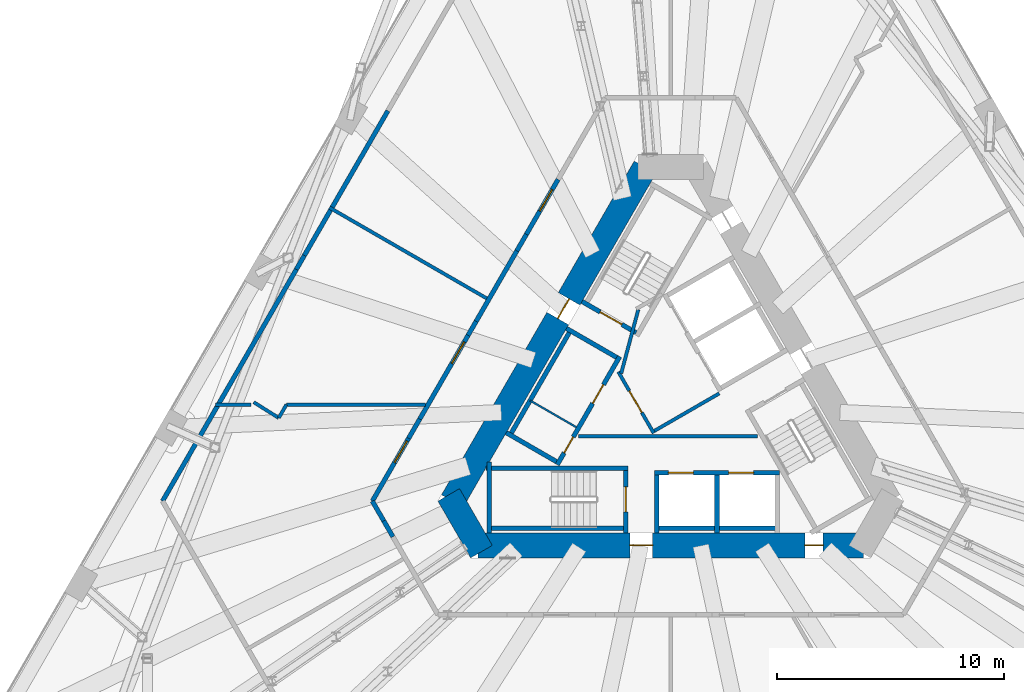
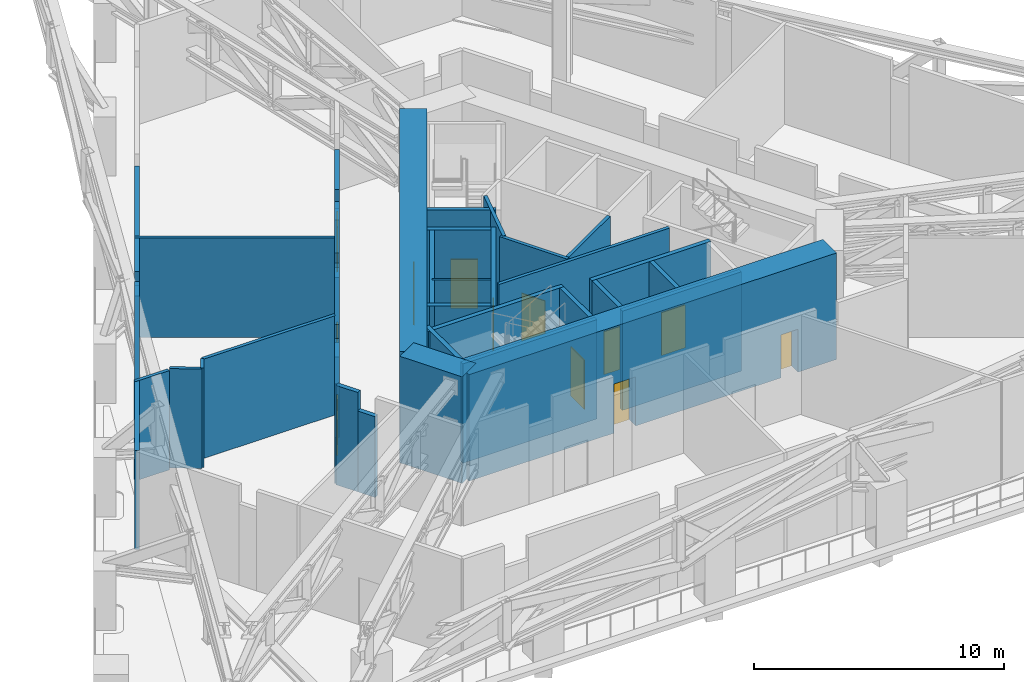
# One storey, part 11 of 20: 38 walls, 13 doors, 13 openings.
"""IFC4 building model written with IfcOpenShell, lengths in metres."""

from ifc_helpers import new_model, si_unit, direction, frame, frame_2d, origin, place, context, subcontext, project, spatial, rectangle, extrude, material, layer, layer_set, type_object, element, fill, save


model = new_model("IFC4")

# Units and contexts
model_context = context("Model", 3, precision=1e-05, world=origin(), true_north=direction((0.0, 1.0)))
body_context = subcontext(model_context, "Body", "Model", "MODEL_VIEW")
ifc_project = project(units=[si_unit("LENGTHUNIT", "METRE"), si_unit("AREAUNIT", "SQUARE_METRE"), si_unit("VOLUMEUNIT", "CUBIC_METRE"), si_unit("PLANEANGLEUNIT", "RADIAN"), si_unit("MASSUNIT", "GRAM", prefix="KILO")], contexts=[model_context])

# Site, building, storey
site_placement = place(None, origin())
site = spatial("IfcSite", under=ifc_project, at=site_placement, CompositionType="ELEMENT")
building_placement = place(site_placement, origin())
building = spatial("IfcBuilding", under=site, at=building_placement, Name="Tramontana Tower", CompositionType="ELEMENT")
storey_placement = place(building_placement, frame((0.0, 0.0, 46.0)))
storey = spatial("IfcBuildingStorey", under=building, at=storey_placement, Name="L09", CompositionType="ELEMENT", Elevation=46.0)

# Wall, opening, door
ifc_material_1 = material(Name="Concrete 70 MPa", Category="concrete")
ifc_layer_1 = layer(ifc_material_1, 1.10009765625)
ifc_layer_set_1 = layer_set([ifc_layer_1], Name="Core wall 1100 70 MPa")
wall_type_1 = type_object("IfcWallType", Name="Core wall 1100 70 MPa", PredefinedType="SHEAR", material=ifc_layer_set_1)
wall_1_placement = place(storey_placement, frame((-1.125732421875, 10.449951171875, 0.0), z_axis=(0.0, 0.0, 1.0), x_axis=(-0.500001757713, -0.866024388966, 0.0)))
wall_1 = element("IfcWall", 1, at=wall_1_placement, inside=storey, type_object=wall_type_1, Name="Core wall C1 L09", PredefinedType="SHEAR", context=body_context, shape_type="SweptSolid", body=[
    extrude(rectangle(XDim=16.97412109375, YDim=1.10009765625, at=frame_2d((8.487060546875, 0.0))), origin(), (0.0, 0.0, 1.0), 5.199951171875),
])
opening_1_placement = place(wall_1_placement, frame((6.692138671875, 0.0, 0.0)))
opening_1 = element("IfcOpeningElement", 2, at=opening_1_placement, cuts=wall_1, Name="Opening RG1", PredefinedType="OPENING", context=body_context, shape_type="SweptSolid", body=[
    extrude(rectangle(XDim=1.0, YDim=2.39990234375, at=frame_2d((0.5, 1.199951171875))), frame((0.0, 0.56005859375, 0.0), z_axis=(0.0, -1.0, 0.0), x_axis=(1.0, 0.0, 0.0)), (0.0, 0.0, 1.0), 1.1201171875),
])
ifc_material_2 = material(Name="Painted steel", Category="steel")
door_type_1 = type_object("IfcDoorType", Name="RING DOOR 1000", OperationType="SINGLE_SWING_LEFT", PredefinedType="DOOR", material=ifc_material_2)
door_1_placement = place(opening_1_placement, origin())
door_1 = element("IfcDoor", 3, at=door_1_placement, inside=storey, type_object=door_type_1, Name="Door RG1", OperationType="SINGLE_SWING_RIGHT", OverallHeight=2.39990234375, OverallWidth=1.0, PredefinedType="DOOR", context=body_context, shape_type="SweptSolid", body=[
    extrude(rectangle(XDim=1.0, YDim=2.39990234375, at=frame_2d((0.5, 1.199951171875))), frame((0.0, 0.02490234375, 0.0), z_axis=(0.0, -1.0, 0.0), x_axis=(1.0, 0.0, 0.0)), (0.0, 0.0, 1.0), 0.050048828125),
])
fill(opening_1, door_1)

# Wall
wall_2_placement = place(storey_placement, frame((-9.771728515625, -3.97509765625, 0.0), z_axis=(0.0, 0.0, 1.0), x_axis=(0.499995765644, -0.866027848477, 0.0)))
element("IfcWall", 4, at=wall_2_placement, inside=storey, type_object=wall_type_1, Name="Core wall C2 L09", PredefinedType="SHEAR", context=body_context, shape_type="SweptSolid", body=[
    extrude(rectangle(XDim=2.88671875, YDim=1.10009765625, at=frame_2d((1.443359375, 0.0))), origin(), (0.0, 0.0, 1.0), 5.199951171875),
])

# Wall, openings, doors
wall_3_placement = place(storey_placement, frame((-8.487060546875, -6.199951171875, 0.0), z_axis=(0.0, 0.0, 1.0), x_axis=(1.0, 0.0, 0.0)))
wall_3 = element("IfcWall", 5, at=wall_3_placement, inside=storey, type_object=wall_type_1, Name="Core wall C3 L09", PredefinedType="SHEAR", context=body_context, shape_type="SweptSolid", body=[
    extrude(rectangle(XDim=16.97412109375, YDim=1.10009765625, at=frame_2d((8.487060546875, 0.0))), origin(), (0.0, 0.0, 1.0), 5.199951171875),
])
opening_2_placement = place(wall_3_placement, frame((6.69189453125, 0.0, 0.0)))
opening_2 = element("IfcOpeningElement", 6, at=opening_2_placement, cuts=wall_3, Name="Opening RG2", PredefinedType="OPENING", context=body_context, shape_type="SweptSolid", body=[
    extrude(rectangle(XDim=1.0, YDim=2.39990234375, at=frame_2d((0.5, 1.199951171875))), frame((0.0, 0.56005859375, 0.0), z_axis=(0.0, -1.0, 0.0), x_axis=(1.0, 0.0, 0.0)), (0.0, 0.0, 1.0), 1.1201171875),
])
opening_3_placement = place(wall_3_placement, frame((14.39697265625, 0.0, 0.0)))
opening_3 = element("IfcOpeningElement", 7, at=opening_3_placement, cuts=wall_3, Name="Opening PD2", PredefinedType="OPENING", context=body_context, shape_type="SweptSolid", body=[
    extrude(rectangle(XDim=0.800048828125, YDim=2.10009765625, at=frame_2d((0.39990234375, 1.050048828125))), frame((0.0, 0.56005859375, 0.0), z_axis=(0.0, -1.0, 0.0), x_axis=(1.0, 0.0, 0.0)), (0.0, 0.0, 1.0), 1.1201171875),
])
ifc_material_3 = material(Name="Painted steel", Category="steel")
door_type_2 = type_object("IfcDoorType", Name="CUPBOARD DOOR 800", OperationType="SINGLE_SWING_LEFT", PredefinedType="DOOR", material=ifc_material_3)
door_2_placement = place(opening_3_placement, origin())
door_2 = element("IfcDoor", 8, at=door_2_placement, inside=storey, type_object=door_type_2, Name="Door PD2", OperationType="SINGLE_SWING_LEFT", OverallHeight=2.10009765625, OverallWidth=0.800048828125, PredefinedType="DOOR", context=body_context, shape_type="SweptSolid", body=[
    extrude(rectangle(XDim=0.800048828125, YDim=2.10009765625, at=frame_2d((0.39990234375, 1.050048828125))), frame((0.0, 0.02490234375, 0.0), z_axis=(0.0, -1.0, 0.0), x_axis=(1.0, 0.0, 0.0)), (0.0, 0.0, 1.0), 0.050048828125),
])
fill(opening_3, door_2)
door_3_placement = place(opening_2_placement, origin())
door_3 = element("IfcDoor", 9, at=door_3_placement, inside=storey, type_object=door_type_1, Name="Door RG2", OperationType="SINGLE_SWING_LEFT", OverallHeight=2.39990234375, OverallWidth=1.0, PredefinedType="DOOR", context=body_context, shape_type="SweptSolid", body=[
    extrude(rectangle(XDim=1.0, YDim=2.39990234375, at=frame_2d((0.5, 1.199951171875))), frame((0.0, 0.02490234375, 0.0), z_axis=(0.0, -1.0, 0.0), x_axis=(1.0, 0.0, 0.0)), (0.0, 0.0, 1.0), 0.050048828125),
])
fill(opening_2, door_3)

# Walls
ifc_material_4 = material(Name="Blockwork", Category="masonry")
ifc_layer_2 = layer(ifc_material_4, 0.199951171875)
ifc_layer_set_2 = layer_set([ifc_layer_2], Name="ENCLOSURE WALL 200")
wall_type_2 = type_object("IfcWallType", Name="ENCLOSURE WALL 200", PredefinedType="SOLIDWALL", material=ifc_layer_set_2)
wall_4_placement = place(storey_placement, frame((-22.372314453125, -4.25, 0.0), z_axis=(0.0, 0.0, 1.0), x_axis=(0.500004108169, 0.866023031919, 0.0)))
element("IfcWall", 10, at=wall_4_placement, inside=storey, type_object=wall_type_2, Name="Wall enc4-0", PredefinedType="SOLIDWALL", context=body_context, shape_type="SweptSolid", body=[
    extrude(rectangle(XDim=11.7802734375, YDim=0.199951171875, at=frame_2d((5.89013671875, 0.0))), origin(), (0.0, 0.0, 1.0), 4.85009765625),
])
wall_5_placement = place(storey_placement, frame((-16.482177734375, 5.951904296875, 0.0), z_axis=(0.0, 0.0, 1.0), x_axis=(0.499881507708, 0.866093804534, 0.0)))
element("IfcWall", 11, at=wall_5_placement, inside=storey, type_object=wall_type_2, Name="Wall enc4-1", PredefinedType="SOLIDWALL", context=body_context, shape_type="SweptSolid", body=[
    extrude(rectangle(XDim=0.708740234375, YDim=0.199951171875, at=frame_2d((0.3544921875, 0.0))), origin(), (0.0, 0.0, 1.0), 4.14990234375),
])
wall_6_placement = place(storey_placement, frame((-16.1279296875, 6.565673828125, 0.0), z_axis=(0.0, 0.0, 1.0), x_axis=(0.500008815681, 0.866020313989, 0.0)))
element("IfcWall", 12, at=wall_6_placement, inside=storey, type_object=wall_type_2, Name="Wall enc4-2", PredefinedType="SOLIDWALL", context=body_context, shape_type="SweptSolid", body=[
    extrude(rectangle(XDim=7.355224609375, YDim=0.199951171875, at=frame_2d((3.677734375, 0.0))), origin(), (0.0, 0.0, 1.0), 4.85009765625),
])
ifc_material_5 = material(Name="Blockwork", Category="masonry")
ifc_layer_3 = layer(ifc_material_5, 0.199951171875)
ifc_layer_set_3 = layer_set([ifc_layer_3], Name="ENTRY WALL 200")
wall_type_3 = type_object("IfcWallType", Name="ENTRY WALL 200", PredefinedType="SOLIDWALL", material=ifc_layer_set_3)
wall_7_placement = place(storey_placement, frame((-12.228515625, -5.819580078125, 0.0), z_axis=(0.0, 0.0, 1.0), x_axis=(-0.499923776705, 0.866069406852, 0.0)))
element("IfcWall", 13, at=wall_7_placement, inside=storey, type_object=wall_type_3, Name="Wall ew3-1", PredefinedType="SOLIDWALL", context=body_context, shape_type="SweptSolid", body=[
    extrude(rectangle(XDim=0.804931640625, YDim=0.199951171875, at=frame_2d((0.40234375, 0.0))), origin(), (0.0, 0.0, 1.0), 3.949951171875),
])
wall_8_placement = place(storey_placement, frame((-12.630859375, -5.12255859375, 0.0), z_axis=(0.0, 0.0, 1.0), x_axis=(-0.500099969036, 0.865967678941, 0.0)))
element("IfcWall", 14, at=wall_8_placement, inside=storey, type_object=wall_type_3, Name="Wall ew3-2", PredefinedType="SOLIDWALL", context=body_context, shape_type="SweptSolid", body=[
    extrude(rectangle(XDim=1.007568359375, YDim=0.199951171875, at=frame_2d((0.50390625, 0.0))), origin(), (0.0, 0.0, 1.0), 4.85009765625),
])

# Wall, opening, door
wall_9_placement = place(storey_placement, frame((-13.134765625, -4.25, 0.0), z_axis=(0.0, 0.0, 1.0), x_axis=(0.50003154259, 0.866007191896, 0.0)))
wall_9 = element("IfcWall", 15, at=wall_9_placement, inside=storey, type_object=wall_type_3, Name="Wall ew4-0", PredefinedType="SOLIDWALL", context=body_context, shape_type="SweptSolid", body=[
    extrude(rectangle(XDim=3.190673828125, YDim=0.199951171875, at=frame_2d((1.59521484375, 0.0))), origin(), (0.0, 0.0, 1.0), 4.85009765625),
])
opening_4_placement = place(wall_9_placement, frame((1.955810546875, 0.0, 0.0)))
opening_4 = element("IfcOpeningElement", 16, at=opening_4_placement, cuts=wall_9, Name="Opening L09-04", PredefinedType="OPENING", context=body_context, shape_type="SweptSolid", body=[
    extrude(rectangle(XDim=1.10009765625, YDim=2.199951171875, at=frame_2d((0.550048828125, 1.10009765625))), frame((0.0, 0.10986328125, 0.0), z_axis=(0.0, -1.0, 0.0), x_axis=(1.0, 0.0, 0.0)), (0.0, 0.0, 1.0), 0.219970703125),
])
ifc_material_6 = material(Name="Painted steel", Category="steel")
door_type_3 = type_object("IfcDoorType", Name="PLANT DOOR 1100", OperationType="SINGLE_SWING_LEFT", PredefinedType="DOOR", material=ifc_material_6)
door_4_placement = place(opening_4_placement, origin())
door_4 = element("IfcDoor", 17, at=door_4_placement, inside=storey, type_object=door_type_3, Name="Door L09-04", OperationType="SINGLE_SWING_RIGHT", OverallHeight=2.199951171875, OverallWidth=1.10009765625, PredefinedType="DOOR", context=body_context, shape_type="SweptSolid", body=[
    extrude(rectangle(XDim=1.10009765625, YDim=2.199951171875, at=frame_2d((0.550048828125, 1.10009765625))), frame((0.0, 0.02490234375, 0.0), z_axis=(0.0, -1.0, 0.0), x_axis=(1.0, 0.0, 0.0)), (0.0, 0.0, 1.0), 0.050048828125),
])
fill(opening_4, door_4)

# Wall
wall_10_placement = place(storey_placement, frame((-11.539306640625, -1.48681640625, 0.0), z_axis=(0.0, 0.0, 1.0), x_axis=(0.499966601515, 0.86604468555, 0.0)))
element("IfcWall", 18, at=wall_10_placement, inside=storey, type_object=wall_type_3, Name="Wall ew4-1", PredefinedType="SOLIDWALL", context=body_context, shape_type="SweptSolid", body=[
    extrude(rectangle(XDim=0.98095703125, YDim=0.199951171875, at=frame_2d((0.490478515625, 0.0))), origin(), (0.0, 0.0, 1.0), 3.949951171875),
])

# Wall, opening, door
wall_11_placement = place(storey_placement, frame((-11.048828125, -0.63720703125, 0.0), z_axis=(0.0, 0.0, 1.0), x_axis=(0.500000470374, 0.866025132214, 0.0)))
wall_11 = element("IfcWall", 19, at=wall_11_placement, inside=storey, type_object=wall_type_3, Name="Wall ew4-2", PredefinedType="SOLIDWALL", context=body_context, shape_type="SweptSolid", body=[
    extrude(rectangle(XDim=4.2568359375, YDim=0.199951171875, at=frame_2d((2.12841796875, 0.0))), origin(), (0.0, 0.0, 1.0), 4.85009765625),
])
opening_5_placement = place(wall_11_placement, frame((2.8271484375, 0.0, 0.0)))
opening_5 = element("IfcOpeningElement", 20, at=opening_5_placement, cuts=wall_11, Name="Opening L09-03", PredefinedType="OPENING", context=body_context, shape_type="SweptSolid", body=[
    extrude(rectangle(XDim=1.10009765625, YDim=2.199951171875, at=frame_2d((0.550048828125, 1.10009765625))), frame((0.0, 0.10986328125, 0.0), z_axis=(0.0, -1.0, 0.0), x_axis=(1.0, 0.0, 0.0)), (0.0, 0.0, 1.0), 0.219970703125),
])
door_5_placement = place(opening_5_placement, origin())
door_5 = element("IfcDoor", 21, at=door_5_placement, inside=storey, type_object=door_type_3, Name="Door L09-03", OperationType="SINGLE_SWING_LEFT", OverallHeight=2.199951171875, OverallWidth=1.10009765625, PredefinedType="DOOR", context=body_context, shape_type="SweptSolid", body=[
    extrude(rectangle(XDim=1.10009765625, YDim=2.199951171875, at=frame_2d((0.550048828125, 1.10009765625))), frame((0.0, 0.02490234375, 0.0), z_axis=(0.0, -1.0, 0.0), x_axis=(1.0, 0.0, 0.0)), (0.0, 0.0, 1.0), 0.050048828125),
])
fill(opening_5, door_5)

# Walls
wall_12_placement = place(storey_placement, frame((-8.92041015625, 3.04931640625, 0.0), z_axis=(0.0, 0.0, 1.0), x_axis=(0.499881507708, 0.866093804534, 0.0)))
element("IfcWall", 22, at=wall_12_placement, inside=storey, type_object=wall_type_3, Name="Wall ew4-3", PredefinedType="SOLIDWALL", context=body_context, shape_type="SweptSolid", body=[
    extrude(rectangle(XDim=0.708740234375, YDim=0.199951171875, at=frame_2d((0.3544921875, 0.0))), origin(), (0.0, 0.0, 1.0), 4.14990234375),
])
wall_13_placement = place(storey_placement, frame((-8.566162109375, 3.6630859375, 0.0), z_axis=(0.0, 0.0, 1.0), x_axis=(0.500013241293, 0.866017758786, 0.0)))
element("IfcWall", 23, at=wall_13_placement, inside=storey, type_object=wall_type_3, Name="Wall ew4-4", PredefinedType="SOLIDWALL", context=body_context, shape_type="SweptSolid", body=[
    extrude(rectangle(XDim=3.58544921875, YDim=0.199951171875, at=frame_2d((1.792724609375, 0.0))), origin(), (0.0, 0.0, 1.0), 4.85009765625),
])
wall_14_placement = place(storey_placement, frame((-6.7734375, 6.76806640625, 0.0), z_axis=(0.0, 0.0, 1.0), x_axis=(0.500117447933, 0.865957584569, 0.0)))
element("IfcWall", 24, at=wall_14_placement, inside=storey, type_object=wall_type_3, Name="Wall ew4-5", PredefinedType="SOLIDWALL", context=body_context, shape_type="SweptSolid", body=[
    extrude(rectangle(XDim=0.838134765625, YDim=0.199951171875, at=frame_2d((0.4189453125, 0.0))), origin(), (0.0, 0.0, 1.0), 3.949951171875),
])

# Wall, opening, door
wall_15_placement = place(storey_placement, frame((-6.354248046875, 7.493896484375, 0.0), z_axis=(0.0, 0.0, 1.0), x_axis=(0.499964529649, 0.866045881633, 0.0)))
wall_15 = element("IfcWall", 25, at=wall_15_placement, inside=storey, type_object=wall_type_3, Name="Wall ew4-6", PredefinedType="SOLIDWALL", context=body_context, shape_type="SweptSolid", body=[
    extrude(rectangle(XDim=2.793701171875, YDim=0.199951171875, at=frame_2d((1.39697265625, 0.0))), origin(), (0.0, 0.0, 1.0), 4.85009765625),
])
opening_6_placement = place(wall_15_placement, frame((1.18017578125, 0.0, 0.0)))
opening_6 = element("IfcOpeningElement", 26, at=opening_6_placement, cuts=wall_15, Name="Opening L09-02", PredefinedType="OPENING", context=body_context, shape_type="SweptSolid", body=[
    extrude(rectangle(XDim=1.10009765625, YDim=2.199951171875, at=frame_2d((0.550048828125, 1.10009765625))), frame((0.0, 0.10986328125, 0.0), z_axis=(0.0, -1.0, 0.0), x_axis=(1.0, 0.0, 0.0)), (0.0, 0.0, 1.0), 0.219970703125),
])
door_6_placement = place(opening_6_placement, origin())
door_6 = element("IfcDoor", 27, at=door_6_placement, inside=storey, type_object=door_type_3, Name="Door L09-02", OperationType="SINGLE_SWING_RIGHT", OverallHeight=2.199951171875, OverallWidth=1.10009765625, PredefinedType="DOOR", context=body_context, shape_type="SweptSolid", body=[
    extrude(rectangle(XDim=1.10009765625, YDim=2.199951171875, at=frame_2d((0.550048828125, 1.10009765625))), frame((0.0, 0.02490234375, 0.0), z_axis=(0.0, -1.0, 0.0), x_axis=(1.0, 0.0, 0.0)), (0.0, 0.0, 1.0), 0.050048828125),
])
fill(opening_6, door_6)

ifc_material_7 = material(Name="Gypsum board partition")
ifc_layer_4 = layer(ifc_material_7, 0.14990234375)
ifc_layer_set_4 = layer_set([ifc_layer_4], Name="PARTITION 150")
wall_type_4 = type_object("IfcWallType", Name="PARTITION 150", PredefinedType="PARTITIONING", material=ifc_layer_set_4)
wall_16_placement = place(storey_placement, frame((-0.744140625, -1.260986328125, 0.0), z_axis=(0.0, 0.0, 1.0), x_axis=(-0.500004234368, 0.866022959057, 0.0)))
wall_16 = element("IfcWall", 28, at=wall_16_placement, inside=storey, type_object=wall_type_4, Name="Wall ff-front", PredefinedType="PARTITIONING", context=body_context, shape_type="SweptSolid", body=[
    extrude(rectangle(XDim=3.125, YDim=0.14990234375, at=frame_2d((1.5625, 0.0))), origin(), (0.0, 0.0, 1.0), 4.85009765625),
])
opening_7_placement = place(wall_16_placement, frame((1.050048828125, 0.0, 0.0)))
opening_7 = element("IfcOpeningElement", 29, at=opening_7_placement, cuts=wall_16, Name="Opening FD1", PredefinedType="OPENING", context=body_context, shape_type="SweptSolid", body=[
    extrude(rectangle(XDim=1.10009765625, YDim=2.39990234375, at=frame_2d((0.550048828125, 1.199951171875))), frame((0.0, 0.0849609375, 0.0), z_axis=(0.0, -1.0, 0.0), x_axis=(1.0, 0.0, 0.0)), (0.0, 0.0, 1.0), 0.169921875),
])
ifc_material_8 = material(Name="Painted timber", Category="wood")
door_type_4 = type_object("IfcDoorType", Name="DOOR ENTRY 1100", OperationType="SINGLE_SWING_LEFT", PredefinedType="DOOR", material=ifc_material_8)
door_7_placement = place(opening_7_placement, origin())
door_7 = element("IfcDoor", 30, at=door_7_placement, inside=storey, type_object=door_type_4, Name="Door FD1", OperationType="SINGLE_SWING_LEFT", OverallHeight=2.39990234375, OverallWidth=1.10009765625, PredefinedType="DOOR", context=body_context, shape_type="SweptSolid", body=[
    extrude(rectangle(XDim=1.10009765625, YDim=2.39990234375, at=frame_2d((0.550048828125, 1.199951171875))), frame((0.0, 0.02490234375, 0.0), z_axis=(0.0, -1.0, 0.0), x_axis=(1.0, 0.0, 0.0)), (0.0, 0.0, 1.0), 0.050048828125),
])
fill(opening_7, door_7)

# Walls
wall_17_placement = place(storey_placement, frame((-0.716796875, -1.15869140625, 0.0), z_axis=(0.0, 0.0, 1.0), x_axis=(0.866008176907, 0.50002983664, 0.0)))
element("IfcWall", 31, at=wall_17_placement, inside=storey, type_object=wall_type_4, Name="Wall ff-end0", PredefinedType="PARTITIONING", context=body_context, shape_type="SweptSolid", body=[
    extrude(rectangle(XDim=3.300048828125, YDim=0.14990234375, at=frame_2d((1.64990234375, 0.0))), origin(), (0.0, 0.0, 1.0), 4.85009765625),
])
wall_18_placement = place(storey_placement, frame((-2.177978515625, 1.372314453125, 0.0), z_axis=(0.0, 0.0, 1.0), x_axis=(0.258808958833, 0.96592852884, 0.0)))
element("IfcWall", 32, at=wall_18_placement, inside=storey, type_object=wall_type_4, Name="Wall ff-diag", PredefinedType="PARTITIONING", context=body_context, shape_type="SweptSolid", body=[
    extrude(rectangle(XDim=2.902587890625, YDim=0.14990234375, at=frame_2d((1.451171875, 0.0))), origin(), (0.0, 0.0, 1.0), 4.85009765625),
])
wall_19_placement = place(storey_placement, frame((-4.053466796875, -1.39990234375, 0.0), z_axis=(0.0, 0.0, 1.0), x_axis=(1.0, 0.0, 0.0)))
element("IfcWall", 33, at=wall_19_placement, inside=storey, type_object=wall_type_4, Name="Wall hub-cut1", PredefinedType="PARTITIONING", context=body_context, shape_type="SweptSolid", body=[
    extrude(rectangle(XDim=7.8759765625, YDim=0.14990234375, at=frame_2d((3.93798828125, 0.0))), origin(), (0.0, 0.0, 1.0), 4.85009765625),
])
wall_20_placement = place(storey_placement, frame((-18.47509765625, 0.0, 0.0), z_axis=(0.0, 0.0, 1.0), x_axis=(-1.0, 0.0, 0.0)))
element("IfcWall", 34, at=wall_20_placement, inside=storey, type_object=wall_type_4, Name="Wall fw-pw00", PredefinedType="PARTITIONING", context=body_context, shape_type="SweptSolid", body=[
    extrude(rectangle(XDim=1.558837890625, YDim=0.14990234375, at=frame_2d((0.779296875, 0.0))), origin(), (0.0, 0.0, 1.0), 4.85009765625),
])
wall_21_placement = place(storey_placement, frame((-17.256103515625, -0.58837890625, 0.0), z_axis=(0.0, 0.0, 1.0), x_axis=(-0.846148217584, 0.532947646471, 0.0)))
element("IfcWall", 35, at=wall_21_placement, inside=storey, type_object=wall_type_4, Name="Wall fw-pw01", PredefinedType="PARTITIONING", context=body_context, shape_type="SweptSolid", body=[
    extrude(rectangle(XDim=1.301025390625, YDim=0.14990234375, at=frame_2d((0.650390625, 0.0))), origin(), (0.0, 0.0, 1.0), 4.85009765625),
])
wall_22_placement = place(storey_placement, frame((-16.9169921875, -0.0009765625, 0.0), z_axis=(0.0, 0.0, 1.0), x_axis=(-0.499971721724, -0.866041729639, 0.0)))
element("IfcWall", 36, at=wall_22_placement, inside=storey, type_object=wall_type_4, Name="Wall fw-pw02", PredefinedType="PARTITIONING", context=body_context, shape_type="SweptSolid", body=[
    extrude(rectangle(XDim=0.67822265625, YDim=0.14990234375, at=frame_2d((0.339111328125, 0.0))), origin(), (0.0, 0.0, 1.0), 4.85009765625),
])
wall_23_placement = place(storey_placement, frame((-10.79638671875, 0.0, 0.0), z_axis=(0.0, 0.0, 1.0), x_axis=(-1.0, 0.0, 0.0)))
element("IfcWall", 37, at=wall_23_placement, inside=storey, type_object=wall_type_4, Name="Wall fw-pw04", PredefinedType="PARTITIONING", context=body_context, shape_type="SweptSolid", body=[
    extrude(rectangle(XDim=6.118896484375, YDim=0.14990234375, at=frame_2d((3.0595703125, 0.0))), origin(), (0.0, 0.0, 1.0), 4.85009765625),
])
wall_24_placement = place(storey_placement, frame((-8.097412109375, 4.675048828125, 0.0), z_axis=(0.0, 0.0, 1.0), x_axis=(-0.866018381195, 0.500012163284, 0.0)))
element("IfcWall", 38, at=wall_24_placement, inside=storey, type_object=wall_type_4, Name="Wall fw-pw05", PredefinedType="PARTITIONING", context=body_context, shape_type="SweptSolid", body=[
    extrude(rectangle(XDim=7.999755859375, YDim=0.14990234375, at=frame_2d((4.0, 0.0))), origin(), (0.0, 0.0, 1.0), 4.85009765625),
])
ifc_material_9 = material(Name="Gypsum board partition")
ifc_layer_5 = layer(ifc_material_9, 0.080078125)
ifc_layer_set_5 = layer_set([ifc_layer_5], Name="PARTITION 80")
wall_type_5 = type_object("IfcWallType", Name="PARTITION 80", PredefinedType="PARTITIONING", material=ifc_layer_set_5)
wall_25_placement = place(storey_placement, frame((-4.15478515625, -0.99609375, 0.0), z_axis=(0.0, 0.0, 1.0), x_axis=(-0.866016039709, 0.500016218704, 0.0)))
element("IfcWall", 39, at=wall_25_placement, inside=storey, type_object=wall_type_5, Name="Wall row0-split", PredefinedType="PARTITIONING", context=body_context, shape_type="SweptSolid", body=[
    extrude(rectangle(XDim=2.35009765625, YDim=0.080078125, at=frame_2d((1.175048828125, 0.0))), origin(), (0.0, 0.0, 1.0), 4.85009765625),
])
ifc_material_10 = material(Name="Concrete 70 MPa", Category="concrete")
ifc_layer_6 = layer(ifc_material_10, 0.199951171875)
ifc_layer_set_6 = layer_set([ifc_layer_6], Name="Concrete 70 MPa, 200 mm")
wall_type_6 = type_object("IfcWallType", Name="RC SHAFT BACK WALL 200", PredefinedType="SOLIDWALL", material=ifc_layer_set_6)
wall_26_placement = place(storey_placement, frame((-8.080078125, -5.449951171875, 0.0), z_axis=(0.0, 0.0, 1.0), x_axis=(1.0, 0.0, 0.0)))
element("IfcWall", 40, at=wall_26_placement, inside=storey, type_object=wall_type_6, Name="Wall st2-back", PredefinedType="SOLIDWALL", context=body_context, shape_type="SweptSolid", body=[
    extrude(rectangle(XDim=6.2001953125, YDim=0.199951171875, at=frame_2d((3.10009765625, 0.0))), origin(), (0.0, 0.0, 1.0), 4.85009765625),
])
for number, where, z_axis, x_axis, name in (
    (41, (-4.36474609375, 3.33984375, 0.0), (0.0, 0.0, 1.0), (-0.499996545922, -0.866027397988, 0.0), "Wall row0-back"),
    (42, (-0.7099609375, -5.449951171875, 0.0), (0.0, 0.0, 1.0), (1.0, 0.0, 0.0), "Wall row1-back"),
):
    element("IfcWall", number, at=place(storey_placement, frame(where, z_axis=z_axis, x_axis=x_axis)), inside=storey, type_object=wall_type_6, Name=name, PredefinedType="SOLIDWALL", context=body_context, shape_type="SweptSolid", body=[
        extrude(rectangle(XDim=5.5, YDim=0.199951171875, at=frame_2d((2.75, 0.0))), origin(), (0.0, 0.0, 1.0), 4.85009765625),
    ])

# Wall, opening, door
ifc_material_11 = material(Name="Concrete 70 MPa", Category="concrete")
ifc_layer_7 = layer(ifc_material_11, 0.199951171875)
ifc_layer_set_7 = layer_set([ifc_layer_7], Name="Concrete 70 MPa, 200 mm")
wall_type_7 = type_object("IfcWallType", Name="RC STAIR AND SHAFT WALL 200", PredefinedType="SOLIDWALL", material=ifc_layer_set_7)
wall_27_placement = place(storey_placement, frame((-1.521484375, 3.164794921875, 0.0), z_axis=(0.0, 0.0, 1.0), x_axis=(-0.866027397988, 0.499996545922, 0.0)))
wall_27 = element("IfcWall", 43, at=wall_27_placement, inside=storey, type_object=wall_type_7, Name="Wall st1-near", PredefinedType="SOLIDWALL", context=body_context, shape_type="SweptSolid", body=[
    extrude(rectangle(XDim=2.75, YDim=0.199951171875, at=frame_2d((1.375, 0.0))), origin(), (0.0, 0.0, 1.0), 4.85009765625),
])
opening_8_placement = place(wall_27_placement, frame((0.72509765625, 0.0, 0.0)))
opening_8 = element("IfcOpeningElement", 44, at=opening_8_placement, cuts=wall_27, Name="Opening SD1", PredefinedType="OPENING", context=body_context, shape_type="SweptSolid", body=[
    extrude(rectangle(XDim=1.10009765625, YDim=2.39990234375, at=frame_2d((0.550048828125, 1.199951171875))), frame((0.0, 0.10986328125, 0.0), z_axis=(0.0, -1.0, 0.0), x_axis=(1.0, 0.0, 0.0)), (0.0, 0.0, 1.0), 0.219970703125),
])
ifc_material_12 = material(Name="Painted steel", Category="steel")
door_type_5 = type_object("IfcDoorType", Name="STAIR DOOR 1100", OperationType="SINGLE_SWING_LEFT", PredefinedType="DOOR", material=ifc_material_12)
door_8_placement = place(opening_8_placement, origin())
door_8 = element("IfcDoor", 45, at=door_8_placement, inside=storey, type_object=door_type_5, Name="Door SD1", OperationType="SINGLE_SWING_RIGHT", OverallHeight=2.39990234375, OverallWidth=1.10009765625, PredefinedType="DOOR", context=body_context, shape_type="SweptSolid", body=[
    extrude(rectangle(XDim=1.10009765625, YDim=2.39990234375, at=frame_2d((0.550048828125, 1.199951171875))), frame((0.0, 0.02490234375, 0.0), z_axis=(0.0, -1.0, 0.0), x_axis=(1.0, 0.0, 0.0)), (0.0, 0.0, 1.0), 0.050048828125),
])
fill(opening_8, door_8)

# Walls
wall_28_placement = place(storey_placement, frame((-8.140625, -2.800048828125, 0.0), z_axis=(0.0, 0.0, 1.0), x_axis=(1.0, 0.0, 0.0)))
element("IfcWall", 46, at=wall_28_placement, inside=storey, type_object=wall_type_7, Name="Wall st2-front", PredefinedType="SOLIDWALL", context=body_context, shape_type="SweptSolid", body=[
    extrude(rectangle(XDim=6.2607421875, YDim=0.199951171875, at=frame_2d((3.13037109375, 0.0))), origin(), (0.0, 0.0, 1.0), 4.85009765625),
])
wall_29_placement = place(storey_placement, frame((-7.97998046875, -2.521728515625, 0.0), z_axis=(0.0, 0.0, 1.0), x_axis=(0.0, -1.0, 0.0)))
element("IfcWall", 47, at=wall_29_placement, inside=storey, type_object=wall_type_7, Name="Wall st2-far", PredefinedType="SOLIDWALL", context=body_context, shape_type="SweptSolid", body=[
    extrude(rectangle(XDim=3.128173828125, YDim=0.199951171875, at=frame_2d((1.56396484375, 0.0))), origin(), (0.0, 0.0, 1.0), 4.85009765625),
])

# Wall, opening, door
wall_30_placement = place(storey_placement, frame((-1.97998046875, -2.89990234375, 0.0), z_axis=(0.0, 0.0, 1.0), x_axis=(0.0, -1.0, 0.0)))
wall_30 = element("IfcWall", 48, at=wall_30_placement, inside=storey, type_object=wall_type_7, Name="Wall st2-near", PredefinedType="SOLIDWALL", context=body_context, shape_type="SweptSolid", body=[
    extrude(rectangle(XDim=2.75, YDim=0.199951171875, at=frame_2d((1.375, 0.0))), origin(), (0.0, 0.0, 1.0), 4.85009765625),
])
opening_9_placement = place(wall_30_placement, frame((0.72509765625, 0.0, 0.0)))
opening_9 = element("IfcOpeningElement", 49, at=opening_9_placement, cuts=wall_30, Name="Opening SD2", PredefinedType="OPENING", context=body_context, shape_type="SweptSolid", body=[
    extrude(rectangle(XDim=1.10009765625, YDim=2.39990234375, at=frame_2d((0.550048828125, 1.199951171875))), frame((0.0, 0.10986328125, 0.0), z_axis=(0.0, -1.0, 0.0), x_axis=(1.0, 0.0, 0.0)), (0.0, 0.0, 1.0), 0.219970703125),
])
door_9_placement = place(opening_9_placement, origin())
door_9 = element("IfcDoor", 50, at=door_9_placement, inside=storey, type_object=door_type_5, Name="Door SD2", OperationType="SINGLE_SWING_LEFT", OverallHeight=2.39990234375, OverallWidth=1.10009765625, PredefinedType="DOOR", context=body_context, shape_type="SweptSolid", body=[
    extrude(rectangle(XDim=1.10009765625, YDim=2.39990234375, at=frame_2d((0.550048828125, 1.199951171875))), frame((0.0, 0.02490234375, 0.0), z_axis=(0.0, -1.0, 0.0), x_axis=(1.0, 0.0, 0.0)), (0.0, 0.0, 1.0), 0.050048828125),
])
fill(opening_9, door_9)

# Wall, openings, doors
wall_31_placement = place(storey_placement, frame((-4.9931640625, -2.648193359375, 0.0), z_axis=(0.0, 0.0, 1.0), x_axis=(0.499996545922, 0.866027397988, 0.0)))
wall_31 = element("IfcWall", 51, at=wall_31_placement, inside=storey, type_object=wall_type_7, Name="Wall row0-front", PredefinedType="SOLIDWALL", context=body_context, shape_type="SweptSolid", body=[
    extrude(rectangle(XDim=5.5, YDim=0.199951171875, at=frame_2d((2.75, 0.0))), origin(), (0.0, 0.0, 1.0), 4.85009765625),
])
opening_10_placement = place(wall_31_placement, frame((3.1201171875, 0.0, 0.0)))
opening_10 = element("IfcOpeningElement", 52, at=opening_10_placement, cuts=wall_31, Name="Opening RD-0A", PredefinedType="OPENING", context=body_context, shape_type="SweptSolid", body=[
    extrude(rectangle(XDim=0.949951171875, YDim=2.39990234375, at=frame_2d((0.47509765625, 1.199951171875))), frame((0.0, 0.10986328125, 0.0), z_axis=(0.0, -1.0, 0.0), x_axis=(1.0, 0.0, 0.0)), (0.0, 0.0, 1.0), 0.219970703125),
])
opening_11_placement = place(wall_31_placement, frame((0.60498046875, 0.0, 0.0)))
opening_11 = element("IfcOpeningElement", 53, at=opening_11_placement, cuts=wall_31, Name="Opening RD-0B", PredefinedType="OPENING", context=body_context, shape_type="SweptSolid", body=[
    extrude(rectangle(XDim=0.800048828125, YDim=2.10009765625, at=frame_2d((0.39990234375, 1.050048828125))), frame((0.0, 0.10986328125, 0.0), z_axis=(0.0, -1.0, 0.0), x_axis=(1.0, 0.0, 0.0)), (0.0, 0.0, 1.0), 0.219970703125),
])
door_10_placement = place(opening_11_placement, origin())
door_10 = element("IfcDoor", 54, at=door_10_placement, inside=storey, type_object=door_type_2, Name="Door RD-0B", OperationType="SINGLE_SWING_RIGHT", OverallHeight=2.10009765625, OverallWidth=0.800048828125, PredefinedType="DOOR", context=body_context, shape_type="SweptSolid", body=[
    extrude(rectangle(XDim=0.800048828125, YDim=2.10009765625, at=frame_2d((0.39990234375, 1.050048828125))), frame((0.0, 0.02490234375, 0.0), z_axis=(0.0, -1.0, 0.0), x_axis=(1.0, 0.0, 0.0)), (0.0, 0.0, 1.0), 0.050048828125),
])
fill(opening_11, door_10)
ifc_material_13 = material(Name="Painted timber", Category="wood")
door_type_6 = type_object("IfcDoorType", Name="DOOR ROOM 950", OperationType="SINGLE_SWING_LEFT", PredefinedType="DOOR", material=ifc_material_13)
door_11_placement = place(opening_10_placement, origin())
door_11 = element("IfcDoor", 55, at=door_11_placement, inside=storey, type_object=door_type_6, Name="Door RD-0A", OperationType="SINGLE_SWING_LEFT", OverallHeight=2.39990234375, OverallWidth=0.949951171875, PredefinedType="DOOR", context=body_context, shape_type="SweptSolid", body=[
    extrude(rectangle(XDim=0.949951171875, YDim=2.39990234375, at=frame_2d((0.47509765625, 1.199951171875))), frame((0.0, 0.02490234375, 0.0), z_axis=(0.0, -1.0, 0.0), x_axis=(1.0, 0.0, 0.0)), (0.0, 0.0, 1.0), 0.050048828125),
])
fill(opening_10, door_11)

# Walls
for number, where, z_axis, x_axis, name in (
    (56, (-2.379638671875, 2.078369140625, 0.0), (0.0, 0.0, 1.0), (-0.866054858364, 0.499948979701, 0.0), "Wall row0-side0"),
    (57, (-5.02978515625, -2.51171875, 0.0), (0.0, 0.0, 1.0), (-0.865989465428, 0.500062241894, 0.0), "Wall row0-side2"),
):
    element("IfcWall", number, at=place(storey_placement, frame(where, z_axis=z_axis, x_axis=x_axis)), inside=storey, type_object=wall_type_7, Name=name, PredefinedType="SOLIDWALL", context=body_context, shape_type="SweptSolid", body=[
        extrude(rectangle(XDim=2.550048828125, YDim=0.199951171875, at=frame_2d((1.27490234375, 0.0))), origin(), (0.0, 0.0, 1.0), 4.85009765625),
    ])

# Wall, openings, doors
wall_32_placement = place(storey_placement, frame((-0.7099609375, -3.0, 0.0), z_axis=(0.0, 0.0, 1.0), x_axis=(1.0, 0.0, 0.0)))
wall_32 = element("IfcWall", 58, at=wall_32_placement, inside=storey, type_object=wall_type_7, Name="Wall row1-front", PredefinedType="SOLIDWALL", context=body_context, shape_type="SweptSolid", body=[
    extrude(rectangle(XDim=5.5, YDim=0.199951171875, at=frame_2d((2.75, 0.0))), origin(), (0.0, 0.0, 1.0), 4.85009765625),
])
opening_12_placement = place(wall_32_placement, frame((0.610107421875, 0.0, 0.0)))
opening_12 = element("IfcOpeningElement", 59, at=opening_12_placement, cuts=wall_32, Name="Opening LD-S1", PredefinedType="OPENING", context=body_context, shape_type="SweptSolid", body=[
    extrude(rectangle(XDim=1.10009765625, YDim=2.10009765625, at=frame_2d((0.550048828125, 1.050048828125))), frame((0.0, 0.10986328125, 0.0), z_axis=(0.0, -1.0, 0.0), x_axis=(1.0, 0.0, 0.0)), (0.0, 0.0, 1.0), 0.219970703125),
])
opening_13_placement = place(wall_32_placement, frame((3.260009765625, 0.0, 0.0)))
opening_13 = element("IfcOpeningElement", 60, at=opening_13_placement, cuts=wall_32, Name="Opening LD-S2", PredefinedType="OPENING", context=body_context, shape_type="SweptSolid", body=[
    extrude(rectangle(XDim=1.10009765625, YDim=2.10009765625, at=frame_2d((0.550048828125, 1.050048828125))), frame((0.0, 0.10986328125, 0.0), z_axis=(0.0, -1.0, 0.0), x_axis=(1.0, 0.0, 0.0)), (0.0, 0.0, 1.0), 0.219970703125),
])
ifc_material_14 = material(Name="Brushed steel", Category="steel")
door_type_7 = type_object("IfcDoorType", Name="LANDING DOOR 1100", OperationType="SINGLE_SWING_LEFT", PredefinedType="DOOR", material=ifc_material_14)
door_12_placement = place(opening_12_placement, origin())
door_12 = element("IfcDoor", 61, at=door_12_placement, inside=storey, type_object=door_type_7, Name="Door LD-S1", OperationType="SLIDING_TO_LEFT", OverallHeight=2.10009765625, OverallWidth=1.10009765625, PredefinedType="DOOR", context=body_context, shape_type="SweptSolid", body=[
    extrude(rectangle(XDim=1.10009765625, YDim=2.10009765625, at=frame_2d((0.550048828125, 1.050048828125))), frame((0.0, 0.02490234375, 0.0), z_axis=(0.0, -1.0, 0.0), x_axis=(1.0, 0.0, 0.0)), (0.0, 0.0, 1.0), 0.050048828125),
])
fill(opening_12, door_12)
door_13_placement = place(opening_13_placement, origin())
door_13 = element("IfcDoor", 62, at=door_13_placement, inside=storey, type_object=door_type_7, Name="Door LD-S2", OperationType="SLIDING_TO_RIGHT", OverallHeight=2.10009765625, OverallWidth=1.10009765625, PredefinedType="DOOR", context=body_context, shape_type="SweptSolid", body=[
    extrude(rectangle(XDim=1.10009765625, YDim=2.10009765625, at=frame_2d((0.550048828125, 1.050048828125))), frame((0.0, 0.02490234375, 0.0), z_axis=(0.0, -1.0, 0.0), x_axis=(1.0, 0.0, 0.0)), (0.0, 0.0, 1.0), 0.050048828125),
])
fill(opening_13, door_13)

# Walls
for number, where, z_axis, x_axis, name in (
    (63, (-0.610107421875, -3.10009765625, 0.0), (0.0, 0.0, 1.0), (0.0, -1.0, 0.0), "Wall row1-side0"),
    (64, (2.0400390625, -3.10009765625, 0.0), (0.0, 0.0, 1.0), (0.0, -1.0, 0.0), "Wall row1-side1"),
):
    element("IfcWall", number, at=place(storey_placement, frame(where, z_axis=z_axis, x_axis=x_axis)), inside=storey, type_object=wall_type_7, Name=name, PredefinedType="SOLIDWALL", context=body_context, shape_type="SweptSolid", body=[
        extrude(rectangle(XDim=2.5498046875, YDim=0.199951171875, at=frame_2d((1.27490234375, 0.0))), origin(), (0.0, 0.0, 1.0), 4.85009765625),
    ])

save(model, "model.ifc")
